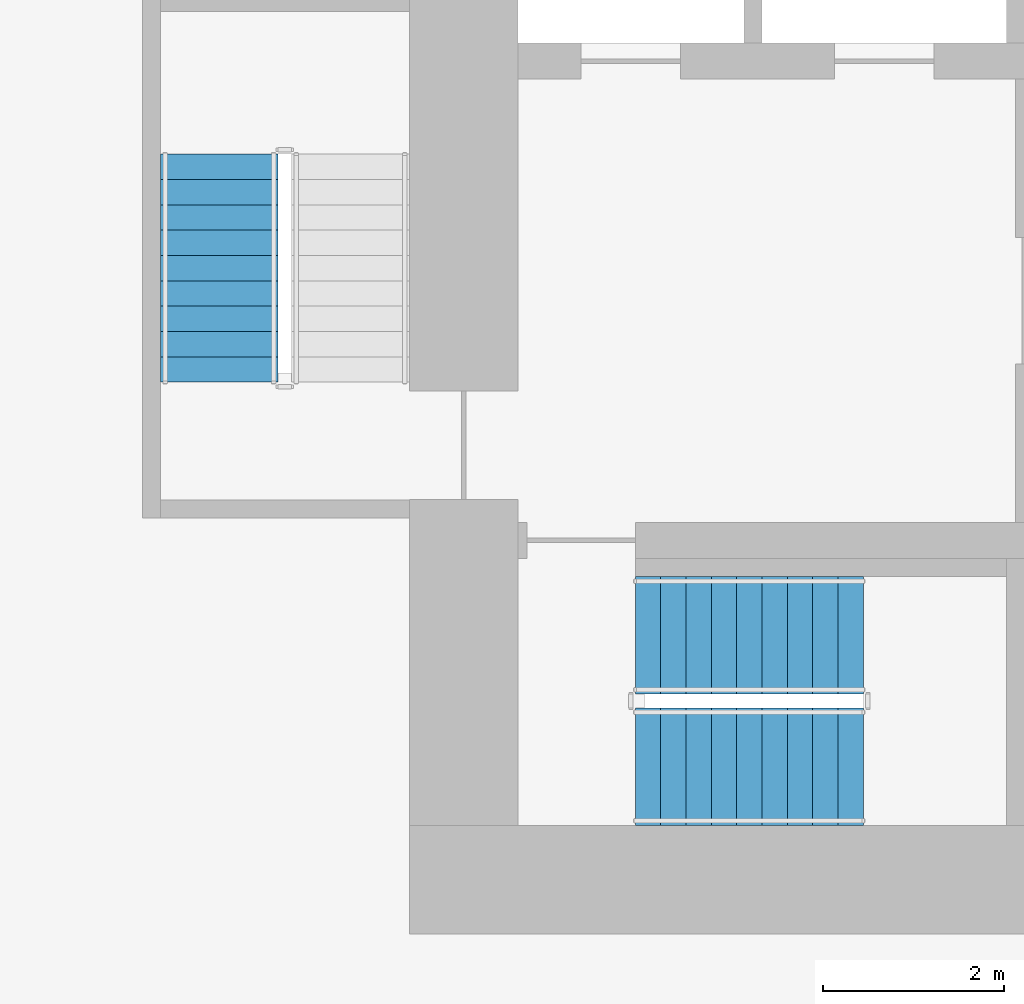
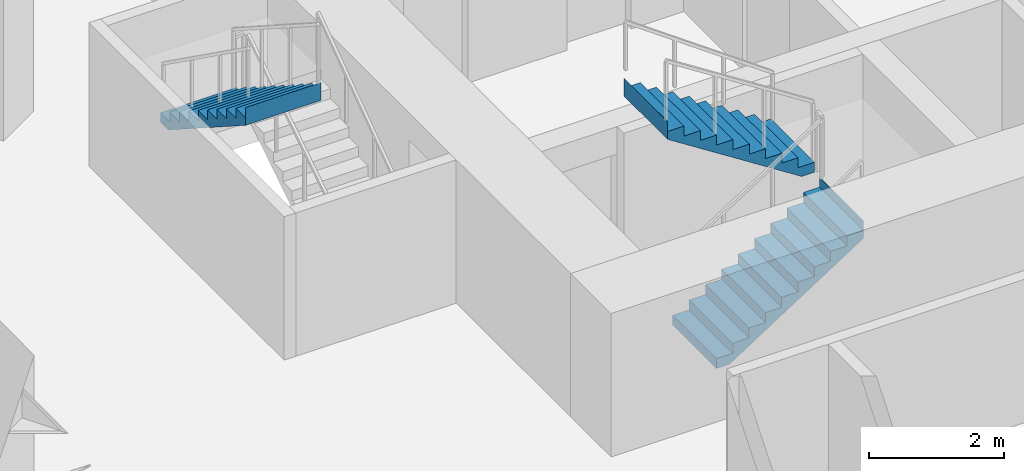
# One storey, part 16 of 22: 3 stair flights, 2 elements without a shape of their own.
"""IFC4 building model written with IfcOpenShell, lengths in metres."""

from ifc_helpers import new_model, si_unit, direction, frame, origin, place, context, subcontext, project, spatial, triangles, material, type_object, element, aggregate, save


model = new_model("IFC4")

# Units and contexts
model_context = context("Model", 3, precision=1e-05, world=origin(), true_north=direction((0.0, 1.0)))
body_context = subcontext(model_context, "Body", "Model", "MODEL_VIEW")
ifc_project = project(units=[si_unit("LENGTHUNIT", "METRE"), si_unit("AREAUNIT", "SQUARE_METRE"), si_unit("VOLUMEUNIT", "CUBIC_METRE"), si_unit("PLANEANGLEUNIT", "RADIAN"), si_unit("MASSUNIT", "GRAM", prefix="KILO")], contexts=[model_context])

# Site, building, storey
site_placement = place(None, origin())
site = spatial("IfcSite", under=ifc_project, at=site_placement, CompositionType="ELEMENT")
building_placement = place(site_placement, origin())
building = spatial("IfcBuilding", under=site, at=building_placement, Name="Beryl Residences", CompositionType="ELEMENT")
storey_placement = place(building_placement, frame((0.0, 0.0, 62.39990234375)))
storey = spatial("IfcBuildingStorey", under=building, at=storey_placement, Name="L19", CompositionType="ELEMENT", Elevation=62.39990234375)

# Stair, stair flights
ifc_material_1 = material(Name="Concrete C40/50", Category="concrete")
stair_type = type_object("IfcStairType", Name="ST1 protected exit stair, half-turn, 1300 mm flights", PredefinedType="HALF_TURN_STAIR", material=ifc_material_1)
stair_1_placement = place(storey_placement, origin())
stair_1 = element("IfcStair", 1, at=stair_1_placement, inside=storey, type_object=stair_type, Name="L19 PROTECTED EXIT STAIR ST-1", PredefinedType="HALF_TURN_STAIR")
ifc_material_2 = material(Name="Concrete C40/50", Category="concrete")
stair_flight_type = type_object("IfcStairFlightType", Name="SF1 stair flight 1300 mm", PredefinedType="STRAIGHT", material=ifc_material_2)
stair_flight_1_placement = place(storey_placement, frame((-10.800048828125, -17.14990234375, 0.0), z_axis=(0.0, 0.0, 1.0), x_axis=(1.0, 0.0, 0.0)))
stair_flight_1 = element("IfcStairFlight", 2, at=stair_flight_1_placement, type_object=stair_flight_type, Name="ST-1 flight 1", NumberOfRisers=10, NumberOfTreads=9, PredefinedType="STRAIGHT", RiserHeight=0.18, TreadLength=0.28, context=body_context, shape_type="Tessellation", body=[
    triangles([(0.0, -0.64990234375, 0.0), (0.0, -0.324951171875, 0.0), (0.0, 0.0, 0.0), (0.0, 0.324951171875, 0.0), (0.0, 0.64990234375, 0.0), (0.0, -0.64990234375, 0.179931640625), (0.0, -0.324951171875, 0.179931640625), (0.0, 0.0, 0.179931640625), (0.0, 0.324951171875, 0.179931640625), (0.0, 0.64990234375, 0.179931640625), (0.280029296875, -0.64990234375, 0.179931640625), (0.280029296875, -0.324951171875, 0.179931640625), (0.280029296875, 0.0, 0.179931640625), (0.280029296875, 0.324951171875, 0.179931640625), (0.280029296875, 0.64990234375, 0.179931640625), (0.280029296875, -0.64990234375, 0.360107421875), (0.280029296875, -0.324951171875, 0.360107421875), (0.280029296875, 0.0, 0.360107421875), (0.280029296875, 0.324951171875, 0.360107421875), (0.280029296875, 0.64990234375, 0.360107421875), (0.56005859375, -0.64990234375, 0.360107421875), (0.56005859375, -0.324951171875, 0.360107421875), (0.56005859375, 0.0, 0.360107421875), (0.56005859375, 0.324951171875, 0.360107421875), (0.56005859375, 0.64990234375, 0.360107421875), (0.56005859375, -0.64990234375, 0.5400390625), (0.56005859375, -0.324951171875, 0.5400390625), (0.56005859375, 0.0, 0.5400390625), (0.56005859375, 0.324951171875, 0.5400390625), (0.56005859375, 0.64990234375, 0.5400390625), (0.840087890625, -0.64990234375, 0.5400390625), (0.840087890625, -0.324951171875, 0.5400390625), (0.840087890625, 0.0, 0.5400390625), (0.840087890625, 0.324951171875, 0.5400390625), (0.840087890625, 0.64990234375, 0.5400390625), (0.840087890625, -0.64990234375, 0.719970703125), (0.840087890625, -0.324951171875, 0.719970703125), (0.840087890625, 0.0, 0.719970703125), (0.840087890625, 0.324951171875, 0.719970703125), (0.840087890625, 0.64990234375, 0.719970703125), (1.1201171875, -0.64990234375, 0.719970703125), (1.1201171875, -0.324951171875, 0.719970703125), (1.1201171875, 0.0, 0.719970703125), (1.1201171875, 0.324951171875, 0.719970703125), (1.1201171875, 0.64990234375, 0.719970703125), (1.1201171875, -0.64990234375, 0.89990234375), (1.1201171875, -0.324951171875, 0.89990234375), (1.1201171875, 0.0, 0.89990234375), (1.1201171875, 0.324951171875, 0.89990234375), (1.1201171875, 0.64990234375, 0.89990234375), (1.39990234375, -0.64990234375, 0.89990234375), (1.39990234375, -0.324951171875, 0.89990234375), (1.39990234375, 0.0, 0.89990234375), (1.39990234375, 0.324951171875, 0.89990234375), (1.39990234375, 0.64990234375, 0.89990234375), (1.39990234375, -0.64990234375, 1.080078125), (1.39990234375, -0.324951171875, 1.080078125), (1.39990234375, 0.0, 1.080078125), (1.39990234375, 0.324951171875, 1.080078125), (1.39990234375, 0.64990234375, 1.080078125), (1.679931640625, -0.64990234375, 1.080078125), (1.679931640625, -0.324951171875, 1.080078125), (1.679931640625, 0.0, 1.080078125), (1.679931640625, 0.324951171875, 1.080078125), (1.679931640625, 0.64990234375, 1.080078125), (1.679931640625, -0.64990234375, 1.260009765625), (1.679931640625, -0.324951171875, 1.260009765625), (1.679931640625, 0.0, 1.260009765625), (1.679931640625, 0.324951171875, 1.260009765625), (1.679931640625, 0.64990234375, 1.260009765625), (1.9599609375, -0.64990234375, 1.260009765625), (1.9599609375, -0.324951171875, 1.260009765625), (1.9599609375, 0.0, 1.260009765625), (1.9599609375, 0.324951171875, 1.260009765625), (1.9599609375, 0.64990234375, 1.260009765625), (1.9599609375, -0.64990234375, 1.43994140625), (1.9599609375, -0.324951171875, 1.43994140625), (1.9599609375, 0.0, 1.43994140625), (1.9599609375, 0.324951171875, 1.43994140625), (1.9599609375, 0.64990234375, 1.43994140625), (2.239990234375, -0.64990234375, 1.43994140625), (2.239990234375, -0.324951171875, 1.43994140625), (2.239990234375, 0.0, 1.43994140625), (2.239990234375, 0.324951171875, 1.43994140625), (2.239990234375, 0.64990234375, 1.43994140625), (2.239990234375, -0.64990234375, 1.6201171875), (2.239990234375, -0.324951171875, 1.6201171875), (2.239990234375, 0.0, 1.6201171875), (2.239990234375, 0.324951171875, 1.6201171875), (2.239990234375, 0.64990234375, 1.6201171875), (2.52001953125, -0.64990234375, 1.6201171875), (2.52001953125, -0.324951171875, 1.6201171875), (2.52001953125, 0.0, 1.6201171875), (2.52001953125, 0.324951171875, 1.6201171875), (2.52001953125, 0.64990234375, 1.6201171875), (2.52001953125, -0.64990234375, 1.800048828125), (2.52001953125, -0.324951171875, 1.800048828125), (2.52001953125, 0.0, 1.800048828125), (2.52001953125, 0.324951171875, 1.800048828125), (2.52001953125, 0.64990234375, 1.800048828125), (2.52099609375, -0.64990234375, 1.800048828125), (2.52099609375, -0.324951171875, 1.800048828125), (2.52099609375, 0.0, 1.800048828125), (2.52099609375, 0.324951171875, 1.800048828125), (2.52099609375, 0.64990234375, 1.800048828125), (2.52099609375, -0.64990234375, 1.477294921875), (2.52099609375, -0.324951171875, 1.477294921875), (2.52099609375, 0.0, 1.477294921875), (2.52099609375, 0.324951171875, 1.477294921875), (2.52099609375, 0.64990234375, 1.477294921875), (0.22314453125, -0.64990234375, 0.0), (0.22314453125, -0.324951171875, 0.0), (0.22314453125, 0.0, 0.0), (0.22314453125, 0.324951171875, 0.0), (0.22314453125, 0.64990234375, 0.0)], [[1, 6, 7], [1, 7, 2], [2, 7, 8], [2, 8, 3], [3, 8, 9], [3, 9, 4], [4, 9, 10], [4, 10, 5], [6, 11, 12], [6, 12, 7], [7, 12, 13], [7, 13, 8], [8, 13, 14], [8, 14, 9], [9, 14, 15], [9, 15, 10], [11, 16, 17], [11, 17, 12], [12, 17, 18], [12, 18, 13], [13, 18, 19], [13, 19, 14], [14, 19, 20], [14, 20, 15], [16, 21, 22], [16, 22, 17], [17, 22, 23], [17, 23, 18], [18, 23, 24], [18, 24, 19], [19, 24, 25], [19, 25, 20], [21, 26, 27], [21, 27, 22], [22, 27, 28], [22, 28, 23], [23, 28, 29], [23, 29, 24], [24, 29, 30], [24, 30, 25], [26, 31, 32], [26, 32, 27], [27, 32, 33], [27, 33, 28], [28, 33, 34], [28, 34, 29], [29, 34, 35], [29, 35, 30], [31, 36, 37], [31, 37, 32], [32, 37, 38], [32, 38, 33], [33, 38, 39], [33, 39, 34], [34, 39, 40], [34, 40, 35], [36, 41, 42], [36, 42, 37], [37, 42, 43], [37, 43, 38], [38, 43, 44], [38, 44, 39], [39, 44, 45], [39, 45, 40], [41, 46, 47], [41, 47, 42], [42, 47, 48], [42, 48, 43], [43, 48, 49], [43, 49, 44], [44, 49, 50], [44, 50, 45], [46, 51, 52], [46, 52, 47], [47, 52, 53], [47, 53, 48], [48, 53, 54], [48, 54, 49], [49, 54, 55], [49, 55, 50], [51, 56, 57], [51, 57, 52], [52, 57, 58], [52, 58, 53], [53, 58, 59], [53, 59, 54], [54, 59, 60], [54, 60, 55], [56, 61, 62], [56, 62, 57], [57, 62, 63], [57, 63, 58], [58, 63, 64], [58, 64, 59], [59, 64, 65], [59, 65, 60], [61, 66, 67], [61, 67, 62], [62, 67, 68], [62, 68, 63], [63, 68, 69], [63, 69, 64], [64, 69, 70], [64, 70, 65], [66, 71, 72], [66, 72, 67], [67, 72, 73], [67, 73, 68], [68, 73, 74], [68, 74, 69], [69, 74, 75], [69, 75, 70], [71, 76, 77], [71, 77, 72], [72, 77, 78], [72, 78, 73], [73, 78, 79], [73, 79, 74], [74, 79, 80], [74, 80, 75], [76, 81, 82], [76, 82, 77], [77, 82, 83], [77, 83, 78], [78, 83, 84], [78, 84, 79], [79, 84, 85], [79, 85, 80], [81, 86, 87], [81, 87, 82], [82, 87, 88], [82, 88, 83], [83, 88, 89], [83, 89, 84], [84, 89, 90], [84, 90, 85], [86, 91, 92], [86, 92, 87], [87, 92, 93], [87, 93, 88], [88, 93, 94], [88, 94, 89], [89, 94, 95], [89, 95, 90], [91, 96, 97], [91, 97, 92], [92, 97, 98], [92, 98, 93], [93, 98, 99], [93, 99, 94], [94, 99, 100], [94, 100, 95], [96, 101, 102], [96, 102, 97], [97, 102, 103], [97, 103, 98], [98, 103, 104], [98, 104, 99], [99, 104, 105], [99, 105, 100], [101, 106, 107], [101, 107, 102], [102, 107, 108], [102, 108, 103], [103, 108, 109], [103, 109, 104], [104, 109, 110], [104, 110, 105], [106, 111, 112], [106, 112, 107], [107, 112, 113], [107, 113, 108], [108, 113, 114], [108, 114, 109], [109, 114, 115], [109, 115, 110], [111, 1, 2], [111, 2, 112], [112, 2, 3], [112, 3, 113], [113, 3, 4], [113, 4, 114], [114, 4, 5], [114, 5, 115], [1, 111, 106], [5, 110, 115], [106, 101, 96], [110, 100, 105], [106, 96, 91], [110, 95, 100], [106, 91, 86], [110, 90, 95], [106, 86, 81], [110, 85, 90], [81, 76, 71], [85, 75, 80], [106, 81, 71], [110, 75, 85], [71, 66, 61], [75, 65, 70], [106, 71, 61], [110, 65, 75], [61, 56, 51], [65, 55, 60], [106, 61, 51], [110, 55, 65], [51, 46, 41], [55, 45, 50], [106, 51, 41], [110, 45, 55], [41, 36, 31], [45, 35, 40], [106, 41, 31], [110, 35, 45], [31, 26, 21], [35, 25, 30], [106, 31, 21], [110, 25, 35], [21, 16, 11], [25, 15, 20], [106, 21, 11], [110, 15, 25], [1, 106, 11], [5, 15, 110], [11, 6, 1], [15, 5, 10]], closed=True),
])
stair_flight_2_placement = place(storey_placement, frame((-8.280029296875, -15.699951171875, 1.800048828125), z_axis=(0.0, 0.0, 1.0), x_axis=(-1.0, 0.0, 0.0)))
stair_flight_2 = element("IfcStairFlight", 3, at=stair_flight_2_placement, type_object=stair_flight_type, Name="ST-1 flight 2", NumberOfRisers=10, NumberOfTreads=9, PredefinedType="STRAIGHT", RiserHeight=0.18, TreadLength=0.28, context=body_context, shape_type="Tessellation", body=[
    triangles([(0.0, -0.64990234375, 0.0), (0.0, -0.324951171875, 0.0), (0.0, 0.0, 0.0), (0.0, 0.324951171875, 0.0), (0.0, 0.64990234375, 0.0), (0.0, -0.64990234375, 0.179931640625), (0.0, -0.324951171875, 0.179931640625), (0.0, 0.0, 0.179931640625), (0.0, 0.324951171875, 0.179931640625), (0.0, 0.64990234375, 0.179931640625), (0.280029296875, -0.64990234375, 0.179931640625), (0.280029296875, -0.324951171875, 0.179931640625), (0.280029296875, 0.0, 0.179931640625), (0.280029296875, 0.324951171875, 0.179931640625), (0.280029296875, 0.64990234375, 0.179931640625), (0.280029296875, -0.64990234375, 0.360107421875), (0.280029296875, -0.324951171875, 0.360107421875), (0.280029296875, 0.0, 0.360107421875), (0.280029296875, 0.324951171875, 0.360107421875), (0.280029296875, 0.64990234375, 0.360107421875), (0.56005859375, -0.64990234375, 0.360107421875), (0.56005859375, -0.324951171875, 0.360107421875), (0.56005859375, 0.0, 0.360107421875), (0.56005859375, 0.324951171875, 0.360107421875), (0.56005859375, 0.64990234375, 0.360107421875), (0.56005859375, -0.64990234375, 0.5400390625), (0.56005859375, -0.324951171875, 0.5400390625), (0.56005859375, 0.0, 0.5400390625), (0.56005859375, 0.324951171875, 0.5400390625), (0.56005859375, 0.64990234375, 0.5400390625), (0.840087890625, -0.64990234375, 0.5400390625), (0.840087890625, -0.324951171875, 0.5400390625), (0.840087890625, 0.0, 0.5400390625), (0.840087890625, 0.324951171875, 0.5400390625), (0.840087890625, 0.64990234375, 0.5400390625), (0.840087890625, -0.64990234375, 0.719970703125), (0.840087890625, -0.324951171875, 0.719970703125), (0.840087890625, 0.0, 0.719970703125), (0.840087890625, 0.324951171875, 0.719970703125), (0.840087890625, 0.64990234375, 0.719970703125), (1.1201171875, -0.64990234375, 0.719970703125), (1.1201171875, -0.324951171875, 0.719970703125), (1.1201171875, 0.0, 0.719970703125), (1.1201171875, 0.324951171875, 0.719970703125), (1.1201171875, 0.64990234375, 0.719970703125), (1.1201171875, -0.64990234375, 0.89990234375), (1.1201171875, -0.324951171875, 0.89990234375), (1.1201171875, 0.0, 0.89990234375), (1.1201171875, 0.324951171875, 0.89990234375), (1.1201171875, 0.64990234375, 0.89990234375), (1.39990234375, -0.64990234375, 0.89990234375), (1.39990234375, -0.324951171875, 0.89990234375), (1.39990234375, 0.0, 0.89990234375), (1.39990234375, 0.324951171875, 0.89990234375), (1.39990234375, 0.64990234375, 0.89990234375), (1.39990234375, -0.64990234375, 1.080078125), (1.39990234375, -0.324951171875, 1.080078125), (1.39990234375, 0.0, 1.080078125), (1.39990234375, 0.324951171875, 1.080078125), (1.39990234375, 0.64990234375, 1.080078125), (1.679931640625, -0.64990234375, 1.080078125), (1.679931640625, -0.324951171875, 1.080078125), (1.679931640625, 0.0, 1.080078125), (1.679931640625, 0.324951171875, 1.080078125), (1.679931640625, 0.64990234375, 1.080078125), (1.679931640625, -0.64990234375, 1.260009765625), (1.679931640625, -0.324951171875, 1.260009765625), (1.679931640625, 0.0, 1.260009765625), (1.679931640625, 0.324951171875, 1.260009765625), (1.679931640625, 0.64990234375, 1.260009765625), (1.9599609375, -0.64990234375, 1.260009765625), (1.9599609375, -0.324951171875, 1.260009765625), (1.9599609375, 0.0, 1.260009765625), (1.9599609375, 0.324951171875, 1.260009765625), (1.9599609375, 0.64990234375, 1.260009765625), (1.9599609375, -0.64990234375, 1.43994140625), (1.9599609375, -0.324951171875, 1.43994140625), (1.9599609375, 0.0, 1.43994140625), (1.9599609375, 0.324951171875, 1.43994140625), (1.9599609375, 0.64990234375, 1.43994140625), (2.239990234375, -0.64990234375, 1.43994140625), (2.239990234375, -0.324951171875, 1.43994140625), (2.239990234375, 0.0, 1.43994140625), (2.239990234375, 0.324951171875, 1.43994140625), (2.239990234375, 0.64990234375, 1.43994140625), (2.239990234375, -0.64990234375, 1.6201171875), (2.239990234375, -0.324951171875, 1.6201171875), (2.239990234375, 0.0, 1.6201171875), (2.239990234375, 0.324951171875, 1.6201171875), (2.239990234375, 0.64990234375, 1.6201171875), (2.52001953125, -0.64990234375, 1.6201171875), (2.52001953125, -0.324951171875, 1.6201171875), (2.52001953125, 0.0, 1.6201171875), (2.52001953125, 0.324951171875, 1.6201171875), (2.52001953125, 0.64990234375, 1.6201171875), (2.52001953125, -0.64990234375, 1.800048828125), (2.52001953125, -0.324951171875, 1.800048828125), (2.52001953125, 0.0, 1.800048828125), (2.52001953125, 0.324951171875, 1.800048828125), (2.52001953125, 0.64990234375, 1.800048828125), (2.52099609375, -0.64990234375, 1.800048828125), (2.52099609375, -0.324951171875, 1.800048828125), (2.52099609375, 0.0, 1.800048828125), (2.52099609375, 0.324951171875, 1.800048828125), (2.52099609375, 0.64990234375, 1.800048828125), (2.52099609375, -0.64990234375, 1.477294921875), (2.52099609375, -0.324951171875, 1.477294921875), (2.52099609375, 0.0, 1.477294921875), (2.52099609375, 0.324951171875, 1.477294921875), (2.52099609375, 0.64990234375, 1.477294921875), (0.22314453125, -0.64990234375, 0.0), (0.22314453125, -0.324951171875, 0.0), (0.22314453125, 0.0, 0.0), (0.22314453125, 0.324951171875, 0.0), (0.22314453125, 0.64990234375, 0.0)], [[1, 6, 7], [1, 7, 2], [2, 7, 8], [2, 8, 3], [3, 8, 9], [3, 9, 4], [4, 9, 10], [4, 10, 5], [6, 11, 12], [6, 12, 7], [7, 12, 13], [7, 13, 8], [8, 13, 14], [8, 14, 9], [9, 14, 15], [9, 15, 10], [11, 16, 17], [11, 17, 12], [12, 17, 18], [12, 18, 13], [13, 18, 19], [13, 19, 14], [14, 19, 20], [14, 20, 15], [16, 21, 22], [16, 22, 17], [17, 22, 23], [17, 23, 18], [18, 23, 24], [18, 24, 19], [19, 24, 25], [19, 25, 20], [21, 26, 27], [21, 27, 22], [22, 27, 28], [22, 28, 23], [23, 28, 29], [23, 29, 24], [24, 29, 30], [24, 30, 25], [26, 31, 32], [26, 32, 27], [27, 32, 33], [27, 33, 28], [28, 33, 34], [28, 34, 29], [29, 34, 35], [29, 35, 30], [31, 36, 37], [31, 37, 32], [32, 37, 38], [32, 38, 33], [33, 38, 39], [33, 39, 34], [34, 39, 40], [34, 40, 35], [36, 41, 42], [36, 42, 37], [37, 42, 43], [37, 43, 38], [38, 43, 44], [38, 44, 39], [39, 44, 45], [39, 45, 40], [41, 46, 47], [41, 47, 42], [42, 47, 48], [42, 48, 43], [43, 48, 49], [43, 49, 44], [44, 49, 50], [44, 50, 45], [46, 51, 52], [46, 52, 47], [47, 52, 53], [47, 53, 48], [48, 53, 54], [48, 54, 49], [49, 54, 55], [49, 55, 50], [51, 56, 57], [51, 57, 52], [52, 57, 58], [52, 58, 53], [53, 58, 59], [53, 59, 54], [54, 59, 60], [54, 60, 55], [56, 61, 62], [56, 62, 57], [57, 62, 63], [57, 63, 58], [58, 63, 64], [58, 64, 59], [59, 64, 65], [59, 65, 60], [61, 66, 67], [61, 67, 62], [62, 67, 68], [62, 68, 63], [63, 68, 69], [63, 69, 64], [64, 69, 70], [64, 70, 65], [66, 71, 72], [66, 72, 67], [67, 72, 73], [67, 73, 68], [68, 73, 74], [68, 74, 69], [69, 74, 75], [69, 75, 70], [71, 76, 77], [71, 77, 72], [72, 77, 78], [72, 78, 73], [73, 78, 79], [73, 79, 74], [74, 79, 80], [74, 80, 75], [76, 81, 82], [76, 82, 77], [77, 82, 83], [77, 83, 78], [78, 83, 84], [78, 84, 79], [79, 84, 85], [79, 85, 80], [81, 86, 87], [81, 87, 82], [82, 87, 88], [82, 88, 83], [83, 88, 89], [83, 89, 84], [84, 89, 90], [84, 90, 85], [86, 91, 92], [86, 92, 87], [87, 92, 93], [87, 93, 88], [88, 93, 94], [88, 94, 89], [89, 94, 95], [89, 95, 90], [91, 96, 97], [91, 97, 92], [92, 97, 98], [92, 98, 93], [93, 98, 99], [93, 99, 94], [94, 99, 100], [94, 100, 95], [96, 101, 102], [96, 102, 97], [97, 102, 103], [97, 103, 98], [98, 103, 104], [98, 104, 99], [99, 104, 105], [99, 105, 100], [101, 106, 107], [101, 107, 102], [102, 107, 108], [102, 108, 103], [103, 108, 109], [103, 109, 104], [104, 109, 110], [104, 110, 105], [106, 111, 112], [106, 112, 107], [107, 112, 113], [107, 113, 108], [108, 113, 114], [108, 114, 109], [109, 114, 115], [109, 115, 110], [111, 1, 2], [111, 2, 112], [112, 2, 3], [112, 3, 113], [113, 3, 4], [113, 4, 114], [114, 4, 5], [114, 5, 115], [1, 111, 106], [5, 110, 115], [106, 101, 96], [110, 100, 105], [106, 96, 91], [110, 95, 100], [106, 91, 86], [110, 90, 95], [106, 86, 81], [110, 85, 90], [81, 76, 71], [85, 75, 80], [106, 81, 71], [110, 75, 85], [71, 66, 61], [75, 65, 70], [106, 71, 61], [110, 65, 75], [61, 56, 51], [65, 55, 60], [106, 61, 51], [110, 55, 65], [51, 46, 41], [55, 45, 50], [106, 51, 41], [110, 45, 55], [41, 36, 31], [45, 35, 40], [106, 41, 31], [110, 35, 45], [31, 26, 21], [35, 25, 30], [106, 31, 21], [110, 25, 35], [21, 16, 11], [25, 15, 20], [106, 21, 11], [110, 15, 25], [1, 106, 11], [5, 15, 110], [11, 6, 1], [15, 5, 10]], closed=True),
])
aggregate(stair_1, [stair_flight_1, stair_flight_2])

# Stair, stair flight
stair_2_placement = place(storey_placement, origin())
stair_2 = element("IfcStair", 4, at=stair_2_placement, inside=storey, type_object=stair_type, Name="L19 PROTECTED EXIT STAIR ST-2", PredefinedType="HALF_TURN_STAIR")
stair_flight_3_placement = place(storey_placement, frame((-15.39990234375, -10.3798828125, 1.800048828125), z_axis=(0.0, 0.0, 1.0), x_axis=(0.0, -1.0, 0.0)))
stair_flight_3 = element("IfcStairFlight", 5, at=stair_flight_3_placement, type_object=stair_flight_type, Name="ST-2 flight 2", NumberOfRisers=10, NumberOfTreads=9, PredefinedType="STRAIGHT", RiserHeight=0.18, TreadLength=0.28, context=body_context, shape_type="Tessellation", body=[
    triangles([(0.0, -0.64990234375, 0.0), (0.0, -0.324951171875, 0.0), (0.0, 0.0, 0.0), (0.0, 0.324951171875, 0.0), (0.0, 0.64990234375, 0.0), (0.0, -0.64990234375, 0.179931640625), (0.0, -0.324951171875, 0.179931640625), (0.0, 0.0, 0.179931640625), (0.0, 0.324951171875, 0.179931640625), (0.0, 0.64990234375, 0.179931640625), (0.280029296875, -0.64990234375, 0.179931640625), (0.280029296875, -0.324951171875, 0.179931640625), (0.280029296875, 0.0, 0.179931640625), (0.280029296875, 0.324951171875, 0.179931640625), (0.280029296875, 0.64990234375, 0.179931640625), (0.280029296875, -0.64990234375, 0.360107421875), (0.280029296875, -0.324951171875, 0.360107421875), (0.280029296875, 0.0, 0.360107421875), (0.280029296875, 0.324951171875, 0.360107421875), (0.280029296875, 0.64990234375, 0.360107421875), (0.56005859375, -0.64990234375, 0.360107421875), (0.56005859375, -0.324951171875, 0.360107421875), (0.56005859375, 0.0, 0.360107421875), (0.56005859375, 0.324951171875, 0.360107421875), (0.56005859375, 0.64990234375, 0.360107421875), (0.56005859375, -0.64990234375, 0.5400390625), (0.56005859375, -0.324951171875, 0.5400390625), (0.56005859375, 0.0, 0.5400390625), (0.56005859375, 0.324951171875, 0.5400390625), (0.56005859375, 0.64990234375, 0.5400390625), (0.840087890625, -0.64990234375, 0.5400390625), (0.840087890625, -0.324951171875, 0.5400390625), (0.840087890625, 0.0, 0.5400390625), (0.840087890625, 0.324951171875, 0.5400390625), (0.840087890625, 0.64990234375, 0.5400390625), (0.840087890625, -0.64990234375, 0.719970703125), (0.840087890625, -0.324951171875, 0.719970703125), (0.840087890625, 0.0, 0.719970703125), (0.840087890625, 0.324951171875, 0.719970703125), (0.840087890625, 0.64990234375, 0.719970703125), (1.1201171875, -0.64990234375, 0.719970703125), (1.1201171875, -0.324951171875, 0.719970703125), (1.1201171875, 0.0, 0.719970703125), (1.1201171875, 0.324951171875, 0.719970703125), (1.1201171875, 0.64990234375, 0.719970703125), (1.1201171875, -0.64990234375, 0.89990234375), (1.1201171875, -0.324951171875, 0.89990234375), (1.1201171875, 0.0, 0.89990234375), (1.1201171875, 0.324951171875, 0.89990234375), (1.1201171875, 0.64990234375, 0.89990234375), (1.39990234375, -0.64990234375, 0.89990234375), (1.39990234375, -0.324951171875, 0.89990234375), (1.39990234375, 0.0, 0.89990234375), (1.39990234375, 0.324951171875, 0.89990234375), (1.39990234375, 0.64990234375, 0.89990234375), (1.39990234375, -0.64990234375, 1.080078125), (1.39990234375, -0.324951171875, 1.080078125), (1.39990234375, 0.0, 1.080078125), (1.39990234375, 0.324951171875, 1.080078125), (1.39990234375, 0.64990234375, 1.080078125), (1.679931640625, -0.64990234375, 1.080078125), (1.679931640625, -0.324951171875, 1.080078125), (1.679931640625, 0.0, 1.080078125), (1.679931640625, 0.324951171875, 1.080078125), (1.679931640625, 0.64990234375, 1.080078125), (1.679931640625, -0.64990234375, 1.260009765625), (1.679931640625, -0.324951171875, 1.260009765625), (1.679931640625, 0.0, 1.260009765625), (1.679931640625, 0.324951171875, 1.260009765625), (1.679931640625, 0.64990234375, 1.260009765625), (1.9599609375, -0.64990234375, 1.260009765625), (1.9599609375, -0.324951171875, 1.260009765625), (1.9599609375, 0.0, 1.260009765625), (1.9599609375, 0.324951171875, 1.260009765625), (1.9599609375, 0.64990234375, 1.260009765625), (1.9599609375, -0.64990234375, 1.43994140625), (1.9599609375, -0.324951171875, 1.43994140625), (1.9599609375, 0.0, 1.43994140625), (1.9599609375, 0.324951171875, 1.43994140625), (1.9599609375, 0.64990234375, 1.43994140625), (2.239990234375, -0.64990234375, 1.43994140625), (2.239990234375, -0.324951171875, 1.43994140625), (2.239990234375, 0.0, 1.43994140625), (2.239990234375, 0.324951171875, 1.43994140625), (2.239990234375, 0.64990234375, 1.43994140625), (2.239990234375, -0.64990234375, 1.6201171875), (2.239990234375, -0.324951171875, 1.6201171875), (2.239990234375, 0.0, 1.6201171875), (2.239990234375, 0.324951171875, 1.6201171875), (2.239990234375, 0.64990234375, 1.6201171875), (2.52001953125, -0.64990234375, 1.6201171875), (2.52001953125, -0.324951171875, 1.6201171875), (2.52001953125, 0.0, 1.6201171875), (2.52001953125, 0.324951171875, 1.6201171875), (2.52001953125, 0.64990234375, 1.6201171875), (2.52001953125, -0.64990234375, 1.800048828125), (2.52001953125, -0.324951171875, 1.800048828125), (2.52001953125, 0.0, 1.800048828125), (2.52001953125, 0.324951171875, 1.800048828125), (2.52001953125, 0.64990234375, 1.800048828125), (2.52099609375, -0.64990234375, 1.800048828125), (2.52099609375, -0.324951171875, 1.800048828125), (2.52099609375, 0.0, 1.800048828125), (2.52099609375, 0.324951171875, 1.800048828125), (2.52099609375, 0.64990234375, 1.800048828125), (2.52099609375, -0.64990234375, 1.477294921875), (2.52099609375, -0.324951171875, 1.477294921875), (2.52099609375, 0.0, 1.477294921875), (2.52099609375, 0.324951171875, 1.477294921875), (2.52099609375, 0.64990234375, 1.477294921875), (0.22314453125, -0.64990234375, 0.0), (0.22314453125, -0.324951171875, 0.0), (0.22314453125, 0.0, 0.0), (0.22314453125, 0.324951171875, 0.0), (0.22314453125, 0.64990234375, 0.0)], [[1, 6, 7], [1, 7, 2], [2, 7, 8], [2, 8, 3], [3, 8, 9], [3, 9, 4], [4, 9, 10], [4, 10, 5], [6, 11, 12], [6, 12, 7], [7, 12, 13], [7, 13, 8], [8, 13, 14], [8, 14, 9], [9, 14, 15], [9, 15, 10], [11, 16, 17], [11, 17, 12], [12, 17, 18], [12, 18, 13], [13, 18, 19], [13, 19, 14], [14, 19, 20], [14, 20, 15], [16, 21, 22], [16, 22, 17], [17, 22, 23], [17, 23, 18], [18, 23, 24], [18, 24, 19], [19, 24, 25], [19, 25, 20], [21, 26, 27], [21, 27, 22], [22, 27, 28], [22, 28, 23], [23, 28, 29], [23, 29, 24], [24, 29, 30], [24, 30, 25], [26, 31, 32], [26, 32, 27], [27, 32, 33], [27, 33, 28], [28, 33, 34], [28, 34, 29], [29, 34, 35], [29, 35, 30], [31, 36, 37], [31, 37, 32], [32, 37, 38], [32, 38, 33], [33, 38, 39], [33, 39, 34], [34, 39, 40], [34, 40, 35], [36, 41, 42], [36, 42, 37], [37, 42, 43], [37, 43, 38], [38, 43, 44], [38, 44, 39], [39, 44, 45], [39, 45, 40], [41, 46, 47], [41, 47, 42], [42, 47, 48], [42, 48, 43], [43, 48, 49], [43, 49, 44], [44, 49, 50], [44, 50, 45], [46, 51, 52], [46, 52, 47], [47, 52, 53], [47, 53, 48], [48, 53, 54], [48, 54, 49], [49, 54, 55], [49, 55, 50], [51, 56, 57], [51, 57, 52], [52, 57, 58], [52, 58, 53], [53, 58, 59], [53, 59, 54], [54, 59, 60], [54, 60, 55], [56, 61, 62], [56, 62, 57], [57, 62, 63], [57, 63, 58], [58, 63, 64], [58, 64, 59], [59, 64, 65], [59, 65, 60], [61, 66, 67], [61, 67, 62], [62, 67, 68], [62, 68, 63], [63, 68, 69], [63, 69, 64], [64, 69, 70], [64, 70, 65], [66, 71, 72], [66, 72, 67], [67, 72, 73], [67, 73, 68], [68, 73, 74], [68, 74, 69], [69, 74, 75], [69, 75, 70], [71, 76, 77], [71, 77, 72], [72, 77, 78], [72, 78, 73], [73, 78, 79], [73, 79, 74], [74, 79, 80], [74, 80, 75], [76, 81, 82], [76, 82, 77], [77, 82, 83], [77, 83, 78], [78, 83, 84], [78, 84, 79], [79, 84, 85], [79, 85, 80], [81, 86, 87], [81, 87, 82], [82, 87, 88], [82, 88, 83], [83, 88, 89], [83, 89, 84], [84, 89, 90], [84, 90, 85], [86, 91, 92], [86, 92, 87], [87, 92, 93], [87, 93, 88], [88, 93, 94], [88, 94, 89], [89, 94, 95], [89, 95, 90], [91, 96, 97], [91, 97, 92], [92, 97, 98], [92, 98, 93], [93, 98, 99], [93, 99, 94], [94, 99, 100], [94, 100, 95], [96, 101, 102], [96, 102, 97], [97, 102, 103], [97, 103, 98], [98, 103, 104], [98, 104, 99], [99, 104, 105], [99, 105, 100], [101, 106, 107], [101, 107, 102], [102, 107, 108], [102, 108, 103], [103, 108, 109], [103, 109, 104], [104, 109, 110], [104, 110, 105], [106, 111, 112], [106, 112, 107], [107, 112, 113], [107, 113, 108], [108, 113, 114], [108, 114, 109], [109, 114, 115], [109, 115, 110], [111, 1, 2], [111, 2, 112], [112, 2, 3], [112, 3, 113], [113, 3, 4], [113, 4, 114], [114, 4, 5], [114, 5, 115], [1, 111, 106], [5, 110, 115], [106, 101, 96], [110, 100, 105], [106, 96, 91], [110, 95, 100], [106, 91, 86], [110, 90, 95], [106, 86, 81], [110, 85, 90], [81, 76, 71], [85, 75, 80], [106, 81, 71], [110, 75, 85], [71, 66, 61], [75, 65, 70], [106, 71, 61], [110, 65, 75], [61, 56, 51], [65, 55, 60], [106, 61, 51], [110, 55, 65], [51, 46, 41], [55, 45, 50], [106, 51, 41], [110, 45, 55], [41, 36, 31], [45, 35, 40], [106, 41, 31], [110, 35, 45], [31, 26, 21], [35, 25, 30], [106, 31, 21], [110, 25, 35], [21, 16, 11], [25, 15, 20], [106, 21, 11], [110, 15, 25], [1, 106, 11], [5, 15, 110], [11, 6, 1], [15, 5, 10]], closed=True),
])
aggregate(stair_2, [stair_flight_3])

save(model, "model.ifc")
